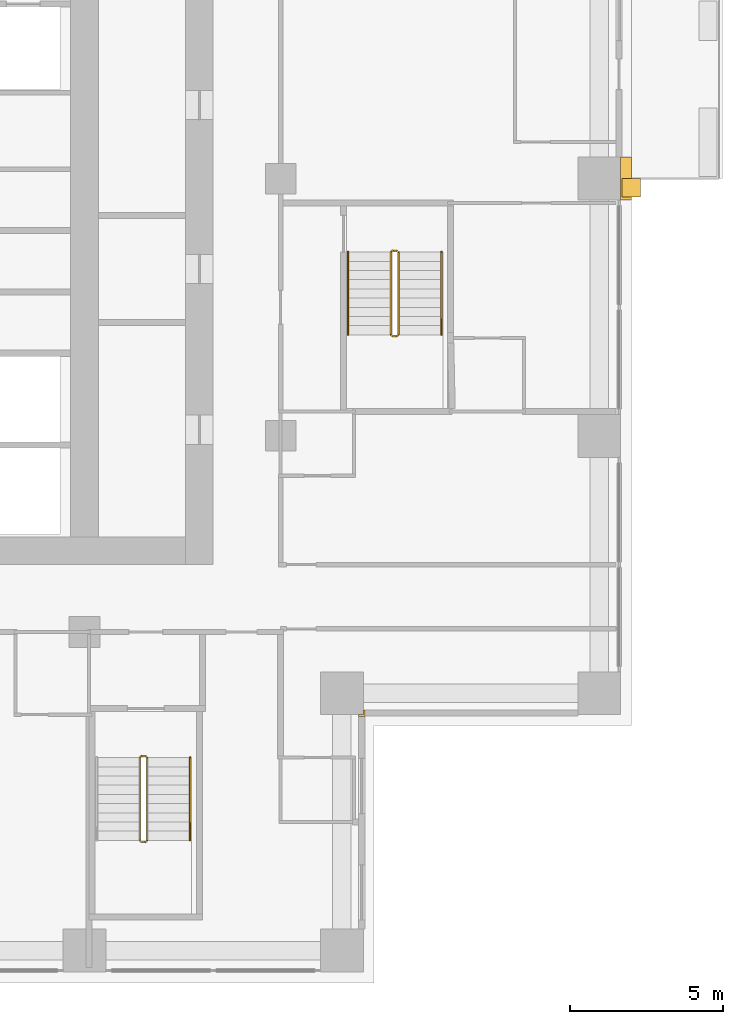
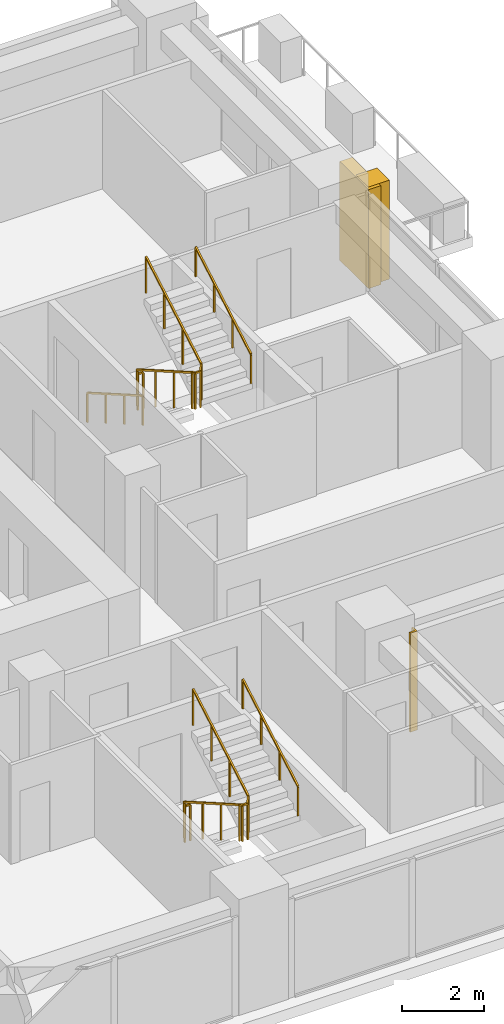
# One storey, part 14 of 16: 5 railings, 3 coverings.
"""IFC4 building model written with IfcOpenShell, lengths in metres."""

from ifc_helpers import new_model, si_unit, direction, frame, origin, origin_2d, place, context, subcontext, project, spatial, polyline, rectangle, outline, extrude, material, type_object, element, save


model = new_model("IFC4")

# Units and contexts
model_context = context("Model", 3, precision=1e-05, world=origin(), true_north=direction((0.0, 1.0)))
body_context = subcontext(model_context, "Body", "Model", "MODEL_VIEW")
ifc_project = project(units=[si_unit("LENGTHUNIT", "METRE"), si_unit("AREAUNIT", "SQUARE_METRE"), si_unit("VOLUMEUNIT", "CUBIC_METRE"), si_unit("PLANEANGLEUNIT", "RADIAN"), si_unit("MASSUNIT", "GRAM", prefix="KILO")], contexts=[model_context])

# Site, building, storey
site_placement = place(None, origin())
site = spatial("IfcSite", under=ifc_project, at=site_placement, CompositionType="ELEMENT")
building_placement = place(site_placement, origin())
building = spatial("IfcBuilding", under=site, at=building_placement, Name="Vermilion Ogive Tower", CompositionType="ELEMENT")
storey_placement = place(building_placement, frame((0.0, 0.0, 72.449951171875)))
storey = spatial("IfcBuildingStorey", under=building, at=storey_placement, Name="L17", CompositionType="ELEMENT", Elevation=72.449951171875)

# Railings
ifc_material_1 = material(Name="Steel S355 painted", Category="steel")
railing_type_1 = type_object("IfcRailingType", Name="Stair guard 1100", PredefinedType="GUARDRAIL", material=ifc_material_1)
railing_1_placement = place(storey_placement, frame((10.39990234375, -14.64990234375, 0.0)))
element("IfcRailing", 1, at=railing_1_placement, inside=storey, type_object=railing_type_1, Name="L17 ST5 stair guard 4", PredefinedType="GUARDRAIL", context=body_context, shape_type="SweptSolid", body=[
    extrude(rectangle(XDim=0.048095703125, YDim=0.048095703125, at=origin_2d()), frame((0.0, 0.0, 1.076171875), z_axis=(-1.0, 0.0, 0.0), x_axis=(0.0, -1.0, 0.0)), (0.0, 0.0, 1.0), 0.14990234375),
    extrude(rectangle(XDim=0.048095703125, YDim=0.048095703125, at=origin_2d()), frame((-0.14990234375, 0.0, 1.076171875), z_axis=(-0.268277960024, -0.268277960024, 0.925231793839), x_axis=(0.707106781187, -0.707106781187, 0.0)), (0.0, 0.0, 1.0), 0.1865234375),
    extrude(rectangle(XDim=0.048095703125, YDim=0.048095703125, at=origin_2d()), frame((-0.199951171875, -0.050048828125, 1.24853515625), z_axis=(0.0, -0.866903762492, 0.498475542607), x_axis=(1.0, 0.0, 0.0)), (0.0, 0.0, 1.0), 3.114501953125),
    extrude(rectangle(XDim=0.048095703125, YDim=0.048095703125, at=origin_2d()), frame((-0.199951171875, -2.75, 2.80126953125), z_axis=(0.707106781187, -0.707106781187, 0.0), x_axis=(0.707106781187, 0.707106781187, 0.0)), (0.0, 0.0, 1.0), 0.07080078125),
    extrude(rectangle(XDim=0.048095703125, YDim=0.048095703125, at=origin_2d()), frame((-0.14990234375, -2.800048828125, 2.80126953125), z_axis=(1.0, 0.0, 0.0), x_axis=(0.0, 1.0, 0.0)), (0.0, 0.0, 1.0), 0.14990234375),
    extrude(rectangle(XDim=0.048095703125, YDim=0.048095703125, at=origin_2d()), frame((0.0, -2.800048828125, 2.80126953125), z_axis=(0.268603158521, 0.268603158521, 0.925043072762), x_axis=(-0.707106781187, 0.707106781187, 0.0)), (0.0, 0.0, 1.0), 0.186279296875),
    extrude(rectangle(XDim=0.048095703125, YDim=0.048095703125, at=origin_2d()), frame((0.050048828125, -2.75, 2.9736328125), z_axis=(0.0, 0.866903762492, 0.498475542607), x_axis=(-1.0, 0.0, 0.0)), (0.0, 0.0, 1.0), 3.114501953125),
    extrude(rectangle(XDim=0.0419921875, YDim=0.0419921875, at=origin_2d()), origin(), (0.0, 0.0, 1.0), 1.052001953125),
    extrude(rectangle(XDim=0.0419921875, YDim=0.0419921875, at=origin_2d()), frame((-0.14990234375, 0.0, 0.0)), (0.0, 0.0, 1.0), 1.052001953125),
    extrude(rectangle(XDim=0.0419921875, YDim=0.0419921875, at=origin_2d()), frame((-0.199951171875, -0.050048828125, 0.172607421875)), (0.0, 0.0, 1.0), 1.052001953125),
    extrude(rectangle(XDim=0.0419921875, YDim=0.0419921875, at=origin_2d()), frame((-0.199951171875, -0.949951171875, 0.690185546875)), (0.0, 0.0, 1.0), 1.052001953125),
    extrude(rectangle(XDim=0.0419921875, YDim=0.0419921875, at=origin_2d()), frame((-0.199951171875, -1.85009765625, 1.20751953125)), (0.0, 0.0, 1.0), 1.052001953125),
    extrude(rectangle(XDim=0.0419921875, YDim=0.0419921875, at=origin_2d()), frame((-0.199951171875, -2.75, 1.72509765625)), (0.0, 0.0, 1.0), 1.052001953125),
    extrude(rectangle(XDim=0.0419921875, YDim=0.0419921875, at=origin_2d()), frame((-0.14990234375, -2.800048828125, 1.72509765625)), (0.0, 0.0, 1.0), 1.052001953125),
    extrude(rectangle(XDim=0.0419921875, YDim=0.0419921875, at=origin_2d()), frame((0.0, -2.800048828125, 1.72509765625)), (0.0, 0.0, 1.0), 1.052001953125),
    extrude(rectangle(XDim=0.0419921875, YDim=0.0419921875, at=origin_2d()), frame((0.050048828125, -2.75, 1.8974609375)), (0.0, 0.0, 1.0), 1.052001953125),
    extrude(rectangle(XDim=0.0419921875, YDim=0.0419921875, at=origin_2d()), frame((0.050048828125, -1.85009765625, 2.4150390625)), (0.0, 0.0, 1.0), 1.052001953125),
    extrude(rectangle(XDim=0.0419921875, YDim=0.0419921875, at=origin_2d()), frame((0.050048828125, -0.949951171875, 2.932373046875)), (0.0, 0.0, 1.0), 1.052001953125),
    extrude(rectangle(XDim=0.0419921875, YDim=0.0419921875, at=origin_2d()), frame((0.050048828125, -0.050048828125, 3.449951171875)), (0.0, 0.0, 1.0), 1.052001953125),
])
railing_2_placement = place(storey_placement, frame((18.60009765625, 1.85009765625, 0.0)))
element("IfcRailing", 2, at=railing_2_placement, inside=storey, type_object=railing_type_1, Name="L17 ST8 stair guard 4", PredefinedType="GUARDRAIL", context=body_context, shape_type="SweptSolid", body=[
    extrude(rectangle(XDim=0.048095703125, YDim=0.048095703125, at=origin_2d()), frame((0.0, 0.0, 1.076171875), z_axis=(-1.0, 0.0, 0.0), x_axis=(0.0, -1.0, 0.0)), (0.0, 0.0, 1.0), 0.150146484375),
    extrude(rectangle(XDim=0.048095703125, YDim=0.048095703125, at=origin_2d()), frame((-0.150146484375, 0.0, 1.076171875), z_axis=(-0.268277960024, -0.268277960024, 0.925231793839), x_axis=(0.707106781187, -0.707106781187, 0.0)), (0.0, 0.0, 1.0), 0.1865234375),
    extrude(rectangle(XDim=0.048095703125, YDim=0.048095703125, at=origin_2d()), frame((-0.2001953125, -0.050048828125, 1.24853515625), z_axis=(0.0, -0.866903762492, 0.498475542607), x_axis=(1.0, 0.0, 0.0)), (0.0, 0.0, 1.0), 3.114501953125),
    extrude(rectangle(XDim=0.048095703125, YDim=0.048095703125, at=origin_2d()), frame((-0.2001953125, -2.75, 2.80126953125), z_axis=(0.707106781187, -0.707106781187, 0.0), x_axis=(0.707106781187, 0.707106781187, 0.0)), (0.0, 0.0, 1.0), 0.07080078125),
    extrude(rectangle(XDim=0.048095703125, YDim=0.048095703125, at=origin_2d()), frame((-0.150146484375, -2.800048828125, 2.80126953125), z_axis=(1.0, 0.0, 0.0), x_axis=(0.0, 1.0, 0.0)), (0.0, 0.0, 1.0), 0.150146484375),
    extrude(rectangle(XDim=0.048095703125, YDim=0.048095703125, at=origin_2d()), frame((0.0, -2.800048828125, 2.80126953125), z_axis=(0.267386790225, 0.268697509785, 0.925368009307), x_axis=(-0.708833529934, 0.705375805398, 0.0)), (0.0, 0.0, 1.0), 0.186279296875),
    extrude(rectangle(XDim=0.048095703125, YDim=0.048095703125, at=origin_2d()), frame((0.0498046875, -2.75, 2.9736328125), z_axis=(0.0, 0.866903762492, 0.498475542607), x_axis=(-1.0, 0.0, 0.0)), (0.0, 0.0, 1.0), 3.114501953125),
    extrude(rectangle(XDim=0.0419921875, YDim=0.0419921875, at=origin_2d()), origin(), (0.0, 0.0, 1.0), 1.052001953125),
    extrude(rectangle(XDim=0.0419921875, YDim=0.0419921875, at=origin_2d()), frame((-0.150146484375, 0.0, 0.0)), (0.0, 0.0, 1.0), 1.052001953125),
    extrude(rectangle(XDim=0.0419921875, YDim=0.0419921875, at=origin_2d()), frame((-0.2001953125, -0.050048828125, 0.172607421875)), (0.0, 0.0, 1.0), 1.052001953125),
    extrude(rectangle(XDim=0.0419921875, YDim=0.0419921875, at=origin_2d()), frame((-0.2001953125, -0.949951171875, 0.690185546875)), (0.0, 0.0, 1.0), 1.052001953125),
    extrude(rectangle(XDim=0.0419921875, YDim=0.0419921875, at=origin_2d()), frame((-0.2001953125, -1.85009765625, 1.20751953125)), (0.0, 0.0, 1.0), 1.052001953125),
    extrude(rectangle(XDim=0.0419921875, YDim=0.0419921875, at=origin_2d()), frame((-0.2001953125, -2.75, 1.72509765625)), (0.0, 0.0, 1.0), 1.052001953125),
    extrude(rectangle(XDim=0.0419921875, YDim=0.0419921875, at=origin_2d()), frame((-0.150146484375, -2.800048828125, 1.72509765625)), (0.0, 0.0, 1.0), 1.052001953125),
    extrude(rectangle(XDim=0.0419921875, YDim=0.0419921875, at=origin_2d()), frame((0.0, -2.800048828125, 1.72509765625)), (0.0, 0.0, 1.0), 1.052001953125),
    extrude(rectangle(XDim=0.0419921875, YDim=0.0419921875, at=origin_2d()), frame((0.0498046875, -2.75, 1.8974609375)), (0.0, 0.0, 1.0), 1.052001953125),
    extrude(rectangle(XDim=0.0419921875, YDim=0.0419921875, at=origin_2d()), frame((0.0498046875, -1.85009765625, 2.4150390625)), (0.0, 0.0, 1.0), 1.052001953125),
    extrude(rectangle(XDim=0.0419921875, YDim=0.0419921875, at=origin_2d()), frame((0.0498046875, -0.949951171875, 2.932373046875)), (0.0, 0.0, 1.0), 1.052001953125),
    extrude(rectangle(XDim=0.0419921875, YDim=0.0419921875, at=origin_2d()), frame((0.0498046875, -0.050048828125, 3.449951171875)), (0.0, 0.0, 1.0), 1.052001953125),
])
ifc_material_2 = material(Name="Stainless steel", Category="steel")
railing_type_2 = type_object("IfcRailingType", Name="Stair handrail 900", PredefinedType="HANDRAIL", material=ifc_material_2)
railing_3_placement = place(storey_placement, frame((11.85009765625, -17.39990234375, 1.8974609375)))
element("IfcRailing", 3, at=railing_3_placement, inside=storey, type_object=railing_type_2, Name="L17 ST5 stair handrail 2", PredefinedType="HANDRAIL", context=body_context, shape_type="SweptSolid", body=[
    extrude(rectangle(XDim=0.048095703125, YDim=0.048095703125, at=origin_2d()), frame((0.0, 0.0, 0.8759765625), z_axis=(0.0, 0.866903762492, 0.498475542607), x_axis=(-1.0, 0.0, 0.0)), (0.0, 0.0, 1.0), 3.114501953125),
    extrude(rectangle(XDim=0.0419921875, YDim=0.0419921875, at=origin_2d()), origin(), (0.0, 0.0, 1.0), 0.851806640625),
    extrude(rectangle(XDim=0.0419921875, YDim=0.0419921875, at=origin_2d()), frame((0.0, 0.89990234375, 0.517578125)), (0.0, 0.0, 1.0), 0.851806640625),
    extrude(rectangle(XDim=0.0419921875, YDim=0.0419921875, at=origin_2d()), frame((0.0, 1.800048828125, 1.034912109375)), (0.0, 0.0, 1.0), 0.851806640625),
    extrude(rectangle(XDim=0.0419921875, YDim=0.0419921875, at=origin_2d()), frame((0.0, 2.699951171875, 1.552490234375)), (0.0, 0.0, 1.0), 0.851806640625),
])
railing_4_placement = place(storey_placement, frame((17.0, 1.800048828125, 0.172607421875)))
element("IfcRailing", 4, at=railing_4_placement, inside=storey, type_object=railing_type_2, Name="L17 ST8 stair handrail 1", PredefinedType="HANDRAIL", context=body_context, shape_type="SweptSolid", body=[
    extrude(rectangle(XDim=0.048095703125, YDim=0.048095703125, at=origin_2d()), frame((0.0, 0.0, 0.8759765625), z_axis=(0.0, -0.866903762492, 0.498475542607), x_axis=(1.0, 0.0, 0.0)), (0.0, 0.0, 1.0), 3.114501953125),
    extrude(rectangle(XDim=0.0419921875, YDim=0.0419921875, at=origin_2d()), origin(), (0.0, 0.0, 1.0), 0.851806640625),
    extrude(rectangle(XDim=0.0419921875, YDim=0.0419921875, at=origin_2d()), frame((0.0, -0.89990234375, 0.517578125)), (0.0, 0.0, 1.0), 0.851806640625),
    extrude(rectangle(XDim=0.0419921875, YDim=0.0419921875, at=origin_2d()), frame((0.0, -1.800048828125, 1.034912109375)), (0.0, 0.0, 1.0), 0.851806640625),
    extrude(rectangle(XDim=0.0419921875, YDim=0.0419921875, at=origin_2d()), frame((0.0, -2.699951171875, 1.552490234375)), (0.0, 0.0, 1.0), 0.851806640625),
])
railing_5_placement = place(storey_placement, frame((20.050048828125, -0.89990234375, 1.8974609375)))
element("IfcRailing", 5, at=railing_5_placement, inside=storey, type_object=railing_type_2, Name="L17 ST8 stair handrail 2", PredefinedType="HANDRAIL", context=body_context, shape_type="SweptSolid", body=[
    extrude(rectangle(XDim=0.048095703125, YDim=0.048095703125, at=origin_2d()), frame((0.0, 0.0, 0.8759765625), z_axis=(0.0, 0.866903762492, 0.498475542607), x_axis=(-1.0, 0.0, 0.0)), (0.0, 0.0, 1.0), 3.114501953125),
    extrude(rectangle(XDim=0.0419921875, YDim=0.0419921875, at=origin_2d()), origin(), (0.0, 0.0, 1.0), 0.851806640625),
    extrude(rectangle(XDim=0.0419921875, YDim=0.0419921875, at=origin_2d()), frame((0.0, 0.89990234375, 0.517578125)), (0.0, 0.0, 1.0), 0.851806640625),
    extrude(rectangle(XDim=0.0419921875, YDim=0.0419921875, at=origin_2d()), frame((0.0, 1.800048828125, 1.034912109375)), (0.0, 0.0, 1.0), 0.851806640625),
    extrude(rectangle(XDim=0.0419921875, YDim=0.0419921875, at=origin_2d()), frame((0.0, 2.699951171875, 1.552490234375)), (0.0, 0.0, 1.0), 0.851806640625),
])

# Coverings
ifc_material_3 = material(Name="Stone cladding", Category="masonry")
covering_type_1 = type_object("IfcCoveringType", Name="Stone corner buttress", PredefinedType="CLADDING", material=ifc_material_3)
covering_1_placement = place(storey_placement, origin())
element("IfcCovering", 6, at=covering_1_placement, inside=storey, type_object=covering_type_1, Name="Stone crease pier EK", PredefinedType="CLADDING", context=body_context, shape_type="SweptSolid", body=[
    extrude(outline(polyline([(26.550048828125, 3.60009765625), (26.550048828125, 4.199951171875), (25.949951171875, 4.199951171875), (25.949951171875, 3.60009765625), (26.550048828125, 3.60009765625)])), origin(), (0.0, 0.0, 1.0), 2.949951171875),
])
ifc_material_4 = material(Name="Stone cladding", Category="masonry")
covering_type_2 = type_object("IfcCoveringType", Name="Stone pier", PredefinedType="CLADDING", material=ifc_material_4)
covering_2_placement = place(storey_placement, origin())
element("IfcCovering", 7, at=covering_2_placement, inside=storey, type_object=covering_type_2, Name="Stone corner pier X1E1", PredefinedType="CLADDING", context=body_context, shape_type="SweptSolid", body=[
    extrude(outline(polyline([(17.35009765625, -13.300048828125), (17.5, -13.300048828125), (17.5, -13.14990234375), (17.550048828125, -13.14990234375), (17.550048828125, -13.35009765625), (17.35009765625, -13.35009765625), (17.35009765625, -13.300048828125)])), origin(), (0.0, 0.0, 1.0), 2.949951171875),
])
covering_3_placement = place(storey_placement, origin())
element("IfcCovering", 8, at=covering_3_placement, inside=storey, type_object=covering_type_2, Name="Stone pier P+0252+042", PredefinedType="CLADDING", context=body_context, shape_type="SweptSolid", body=[
    extrude(outline(polyline([(26.25, 4.89990234375), (26.25, 4.199951171875), (25.949951171875, 4.199951171875), (25.949951171875, 3.60009765625), (26.25, 3.60009765625), (26.25, 3.5), (25.89990234375, 3.5), (25.89990234375, 4.89990234375), (26.25, 4.89990234375)])), origin(), (0.0, 0.0, 1.0), 2.949951171875),
])

save(model, "model.ifc")
